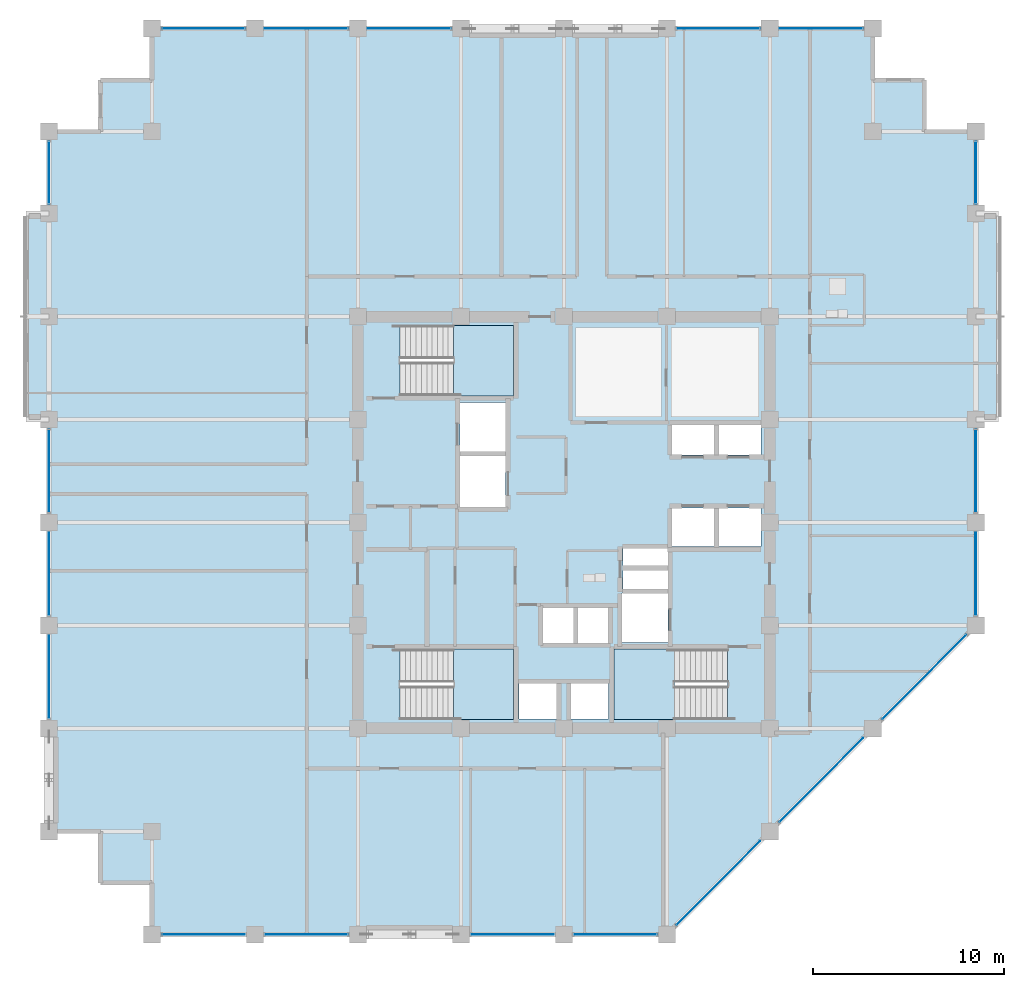
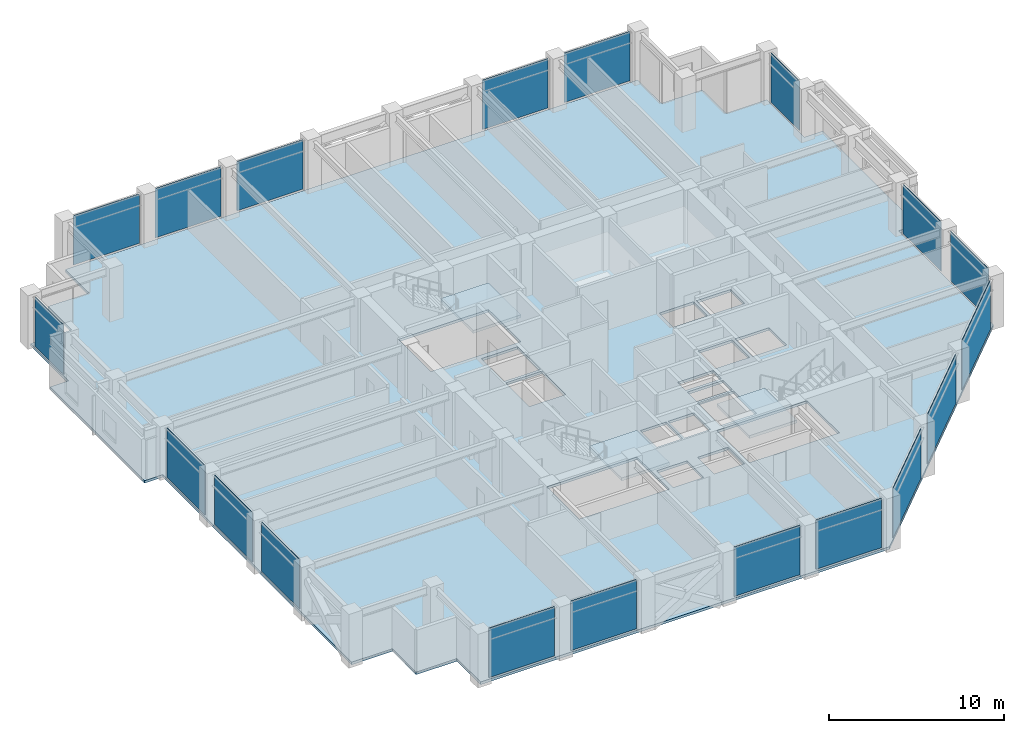
# One storey, part 25 of 32: 19 plates, 4 slabs, 12 elements without a shape of their own.
"""IFC4 building model written with IfcOpenShell, lengths in metres."""

from ifc_helpers import new_model, si_unit, direction, frame, frame_2d, origin, place, context, subcontext, project, spatial, polyline, rectangle, outline, extrude, material, layer, layer_set, type_object, element, aggregate, save


model = new_model("IFC4")

# Units and contexts
model_context = context("Model", 3, precision=1e-05, world=origin(), true_north=direction((0.0, 1.0)))
body_context = subcontext(model_context, "Body", "Model", "MODEL_VIEW")
ifc_project = project(units=[si_unit("LENGTHUNIT", "METRE"), si_unit("AREAUNIT", "SQUARE_METRE"), si_unit("VOLUMEUNIT", "CUBIC_METRE"), si_unit("PLANEANGLEUNIT", "RADIAN"), si_unit("MASSUNIT", "GRAM", prefix="KILO")], contexts=[model_context])

# Site, building, storey
site_placement = place(None, origin())
site = spatial("IfcSite", under=ifc_project, at=site_placement, CompositionType="ELEMENT")
building_placement = place(site_placement, origin())
building = spatial("IfcBuilding", under=site, at=building_placement, Name="Surkhivell Harbour Commons", CompositionType="ELEMENT")
storey_placement = place(building_placement, frame((0.0, 0.0, 186.0)))
storey = spatial("IfcBuildingStorey", under=building, at=storey_placement, Name="L48", CompositionType="ELEMENT", Elevation=186.0)

# Curtain wall, plates
ifc_material_1 = material(Name="Anodised pale-metal aluminium and insulated glazing", Category="aluminium")
ifc_layer_1 = layer(ifc_material_1, 0.18994140625)
ifc_layer_set_1 = layer_set([ifc_layer_1], Name="Anodised pale-metal aluminium and insulated glazing")
curtain_wall_type = type_object("IfcCurtainWallType", Name="CW-SYS-Z3", PredefinedType="NOTDEFINED", material=ifc_layer_set_1)
curtain_wall_1_placement = place(storey_placement, origin())
curtain_wall_1 = element("IfcCurtainWall", 1, at=curtain_wall_1_placement, inside=storey, type_object=curtain_wall_type, Name="L48 Curtain Wall CW-L48-E00S1", PredefinedType="NOTDEFINED")
ifc_material_2 = material(Name="High-pressure typhoon laminated vision glass", Category="glass")
ifc_layer_2 = layer(ifc_material_2, 0.035888671875)
ifc_layer_set_2 = layer_set([ifc_layer_2], Name="High-pressure typhoon laminated vision glass")
plate_type = type_object("IfcPlateType", Name="CWP-GLZ-36", PredefinedType="CURTAIN_PANEL", material=ifc_layer_set_2)
plate_1_placement = place(storey_placement, frame((-21.072998046875, -21.60009765625, 0.1298828125), z_axis=(0.0, 0.0, 1.0), x_axis=(1.0, 0.0, 0.0)))
plate_1 = element("IfcPlate", 2, at=plate_1_placement, type_object=plate_type, Name="CW-Z3 panel 1.1", PredefinedType="CURTAIN_PANEL", context=body_context, shape_type="SweptSolid", body=[
    extrude(rectangle(XDim=4.345947265625, YDim=0.035888671875, at=frame_2d((2.1728515625, 0.0))), origin(), (0.0, 0.0, 1.0), 3.440185546875),
])
plate_2_placement = place(storey_placement, frame((-15.673095703125, -21.60009765625, 0.1298828125), z_axis=(0.0, 0.0, 1.0), x_axis=(1.0, 0.0, 0.0)))
plate_2 = element("IfcPlate", 3, at=plate_2_placement, type_object=plate_type, Name="CW-Z3 panel 2.1", PredefinedType="CURTAIN_PANEL", context=body_context, shape_type="SweptSolid", body=[
    extrude(rectangle(XDim=4.34619140625, YDim=0.035888671875, at=frame_2d((2.173095703125, 0.0))), origin(), (0.0, 0.0, 1.0), 3.440185546875),
])
aggregate(curtain_wall_1, [plate_1, plate_2])

curtain_wall_2_placement = place(storey_placement, origin())
curtain_wall_2 = element("IfcCurtainWall", 4, at=curtain_wall_2_placement, inside=storey, type_object=curtain_wall_type, Name="L48 Curtain Wall CW-L48-E00S2", PredefinedType="NOTDEFINED")
plate_3_placement = place(storey_placement, frame((-4.873046875, -21.60009765625, 0.1298828125), z_axis=(0.0, 0.0, 1.0), x_axis=(1.0, 0.0, 0.0)))
plate_3 = element("IfcPlate", 5, at=plate_3_placement, type_object=plate_type, Name="CW-Z3 panel 1.1", PredefinedType="CURTAIN_PANEL", context=body_context, shape_type="SweptSolid", body=[
    extrude(rectangle(XDim=4.345947265625, YDim=0.035888671875, at=frame_2d((2.1728515625, 0.0))), origin(), (0.0, 0.0, 1.0), 3.440185546875),
])
plate_4_placement = place(storey_placement, frame((0.527099609375, -21.60009765625, 0.1298828125), z_axis=(0.0, 0.0, 1.0), x_axis=(1.0, 0.0, 0.0)))
plate_4 = element("IfcPlate", 6, at=plate_4_placement, type_object=plate_type, Name="CW-Z3 panel 2.1", PredefinedType="CURTAIN_PANEL", context=body_context, shape_type="SweptSolid", body=[
    extrude(rectangle(XDim=4.345947265625, YDim=0.035888671875, at=frame_2d((2.1728515625, 0.0))), origin(), (0.0, 0.0, 1.0), 3.440185546875),
])
aggregate(curtain_wall_2, [plate_3, plate_4])

curtain_wall_3_placement = place(storey_placement, origin())
curtain_wall_3 = element("IfcCurtainWall", 7, at=curtain_wall_3_placement, inside=storey, type_object=curtain_wall_type, Name="L48 Curtain Wall CW-L48-E01", PredefinedType="NOTDEFINED")
plate_5_placement = place(storey_placement, frame((5.90478515625, -21.09521484375, 0.1298828125), z_axis=(0.0, 0.0, 1.0), x_axis=(0.707106781187, 0.707106781187, 0.0)))
plate_5 = element("IfcPlate", 8, at=plate_5_placement, type_object=plate_type, Name="CW-Z3 panel 1.1", PredefinedType="CURTAIN_PANEL", context=body_context, shape_type="SweptSolid", body=[
    extrude(rectangle(XDim=6.209228515625, YDim=0.035888671875, at=frame_2d((3.1044921875, 0.0))), origin(), (0.0, 0.0, 1.0), 3.440185546875),
])
plate_6_placement = place(storey_placement, frame((11.3046875, -15.6953125, 0.1298828125), z_axis=(0.0, 0.0, 1.0), x_axis=(0.707106781187, 0.707106781187, 0.0)))
plate_6 = element("IfcPlate", 9, at=plate_6_placement, type_object=plate_type, Name="CW-Z3 panel 2.1", PredefinedType="CURTAIN_PANEL", context=body_context, shape_type="SweptSolid", body=[
    extrude(rectangle(XDim=6.209228515625, YDim=0.035888671875, at=frame_2d((3.1044921875, 0.0))), origin(), (0.0, 0.0, 1.0), 3.440185546875),
])
plate_7_placement = place(storey_placement, frame((16.70458984375, -10.29541015625, 0.1298828125), z_axis=(0.0, 0.0, 1.0), x_axis=(0.707106781187, 0.707106781187, 0.0)))
plate_7 = element("IfcPlate", 10, at=plate_7_placement, type_object=plate_type, Name="CW-Z3 panel 3.1", PredefinedType="CURTAIN_PANEL", context=body_context, shape_type="SweptSolid", body=[
    extrude(rectangle(XDim=6.209228515625, YDim=0.035888671875, at=frame_2d((3.1044921875, 0.0))), origin(), (0.0, 0.0, 1.0), 3.440185546875),
])
aggregate(curtain_wall_3, [plate_5, plate_6, plate_7])

curtain_wall_4_placement = place(storey_placement, origin())
curtain_wall_4 = element("IfcCurtainWall", 11, at=curtain_wall_4_placement, inside=storey, type_object=curtain_wall_type, Name="L48 Curtain Wall CW-L48-E02R1", PredefinedType="NOTDEFINED")
plate_8_placement = place(storey_placement, frame((21.60009765625, -4.873046875, 0.1298828125), z_axis=(0.0, 0.0, 1.0), x_axis=(0.0, 1.0, 0.0)))
plate_8 = element("IfcPlate", 12, at=plate_8_placement, type_object=plate_type, Name="CW-Z3 panel 1.1", PredefinedType="CURTAIN_PANEL", context=body_context, shape_type="SweptSolid", body=[
    extrude(rectangle(XDim=4.345947265625, YDim=0.035888671875, at=frame_2d((2.1728515625, 0.0))), origin(), (0.0, 0.0, 1.0), 3.440185546875),
])
plate_9_placement = place(storey_placement, frame((21.60009765625, 0.527099609375, 0.1298828125), z_axis=(0.0, 0.0, 1.0), x_axis=(0.0, 1.0, 0.0)))
plate_9 = element("IfcPlate", 13, at=plate_9_placement, type_object=plate_type, Name="CW-Z3 panel 2.1", PredefinedType="CURTAIN_PANEL", context=body_context, shape_type="SweptSolid", body=[
    extrude(rectangle(XDim=4.345947265625, YDim=0.035888671875, at=frame_2d((2.1728515625, 0.0))), origin(), (0.0, 0.0, 1.0), 3.440185546875),
])
aggregate(curtain_wall_4, [plate_8, plate_9])

# Curtain wall, plate
curtain_wall_5_placement = place(storey_placement, origin())
curtain_wall_5 = element("IfcCurtainWall", 14, at=curtain_wall_5_placement, inside=storey, type_object=curtain_wall_type, Name="L48 Curtain Wall CW-L48-E02R2", PredefinedType="NOTDEFINED")
plate_10_placement = place(storey_placement, frame((21.60009765625, 16.72705078125, 0.1298828125), z_axis=(0.0, 0.0, 1.0), x_axis=(0.0, 1.0, 0.0)))
plate_10 = element("IfcPlate", 15, at=plate_10_placement, type_object=plate_type, Name="CW-Z3 panel 1.1", PredefinedType="CURTAIN_PANEL", context=body_context, shape_type="SweptSolid", body=[
    extrude(rectangle(XDim=3.245849609375, YDim=0.035888671875, at=frame_2d((1.623046875, 0.0))), origin(), (0.0, 0.0, 1.0), 3.440185546875),
])
aggregate(curtain_wall_5, [plate_10])

# Curtain wall, plates
curtain_wall_6_placement = place(storey_placement, origin())
curtain_wall_6 = element("IfcCurtainWall", 16, at=curtain_wall_6_placement, inside=storey, type_object=curtain_wall_type, Name="L48 Curtain Wall CW-L48-E07S1", PredefinedType="NOTDEFINED")
plate_11_placement = place(storey_placement, frame((15.673095703125, 25.89990234375, 0.1298828125), z_axis=(0.0, 0.0, 1.0), x_axis=(-1.0, 0.0, 0.0)))
plate_11 = element("IfcPlate", 17, at=plate_11_placement, type_object=plate_type, Name="CW-Z3 panel 1.1", PredefinedType="CURTAIN_PANEL", context=body_context, shape_type="SweptSolid", body=[
    extrude(rectangle(XDim=4.34619140625, YDim=0.035888671875, at=frame_2d((2.173095703125, 0.0))), origin(), (0.0, 0.0, 1.0), 3.440185546875),
])
plate_12_placement = place(storey_placement, frame((10.27294921875, 25.89990234375, 0.1298828125), z_axis=(0.0, 0.0, 1.0), x_axis=(-1.0, 0.0, 0.0)))
plate_12 = element("IfcPlate", 18, at=plate_12_placement, type_object=plate_type, Name="CW-Z3 panel 2.1", PredefinedType="CURTAIN_PANEL", context=body_context, shape_type="SweptSolid", body=[
    extrude(rectangle(XDim=4.345947265625, YDim=0.035888671875, at=frame_2d((2.1728515625, 0.0))), origin(), (0.0, 0.0, 1.0), 3.440185546875),
])
aggregate(curtain_wall_6, [plate_11, plate_12])

curtain_wall_7_placement = place(storey_placement, origin())
curtain_wall_7 = element("IfcCurtainWall", 19, at=curtain_wall_7_placement, inside=storey, type_object=curtain_wall_type, Name="L48 Curtain Wall CW-L48-E07S2", PredefinedType="NOTDEFINED")
plate_13_placement = place(storey_placement, frame((-5.927001953125, 25.89990234375, 0.1298828125), z_axis=(0.0, 0.0, 1.0), x_axis=(-1.0, 0.0, 0.0)))
plate_13 = element("IfcPlate", 20, at=plate_13_placement, type_object=plate_type, Name="CW-Z3 panel 1.1", PredefinedType="CURTAIN_PANEL", context=body_context, shape_type="SweptSolid", body=[
    extrude(rectangle(XDim=4.345947265625, YDim=0.035888671875, at=frame_2d((2.1728515625, 0.0))), origin(), (0.0, 0.0, 1.0), 3.440185546875),
])
plate_14_placement = place(storey_placement, frame((-11.326904296875, 25.89990234375, 0.1298828125), z_axis=(0.0, 0.0, 1.0), x_axis=(-1.0, 0.0, 0.0)))
plate_14 = element("IfcPlate", 21, at=plate_14_placement, type_object=plate_type, Name="CW-Z3 panel 2.1", PredefinedType="CURTAIN_PANEL", context=body_context, shape_type="SweptSolid", body=[
    extrude(rectangle(XDim=4.34619140625, YDim=0.035888671875, at=frame_2d((2.173095703125, 0.0))), origin(), (0.0, 0.0, 1.0), 3.440185546875),
])
plate_15_placement = place(storey_placement, frame((-16.72705078125, 25.89990234375, 0.1298828125), z_axis=(0.0, 0.0, 1.0), x_axis=(-1.0, 0.0, 0.0)))
plate_15 = element("IfcPlate", 22, at=plate_15_placement, type_object=plate_type, Name="CW-Z3 panel 3.1", PredefinedType="CURTAIN_PANEL", context=body_context, shape_type="SweptSolid", body=[
    extrude(rectangle(XDim=4.345947265625, YDim=0.035888671875, at=frame_2d((2.1728515625, 0.0))), origin(), (0.0, 0.0, 1.0), 3.440185546875),
])
aggregate(curtain_wall_7, [plate_13, plate_14, plate_15])

curtain_wall_8_placement = place(storey_placement, origin())
curtain_wall_8 = element("IfcCurtainWall", 23, at=curtain_wall_8_placement, inside=storey, type_object=curtain_wall_type, Name="L48 Curtain Wall CW-L48-E12R1S1", PredefinedType="NOTDEFINED")
plate_16_placement = place(storey_placement, frame((-27.0, -10.27294921875, 0.1298828125), z_axis=(0.0, 0.0, 1.0), x_axis=(0.0, 1.0, 0.0)))
plate_16 = element("IfcPlate", 24, at=plate_16_placement, type_object=plate_type, Name="CW-Z3 panel 1.1", PredefinedType="CURTAIN_PANEL", context=body_context, shape_type="SweptSolid", body=[
    extrude(rectangle(XDim=4.345947265625, YDim=0.035888671875, at=frame_2d((2.1728515625, 0.0))), origin(), (0.0, 0.0, 1.0), 3.440185546875),
])
plate_17_placement = place(storey_placement, frame((-27.0, -4.873046875, 0.1298828125), z_axis=(0.0, 0.0, 1.0), x_axis=(0.0, 1.0, 0.0)))
plate_17 = element("IfcPlate", 25, at=plate_17_placement, type_object=plate_type, Name="CW-Z3 panel 2.1", PredefinedType="CURTAIN_PANEL", context=body_context, shape_type="SweptSolid", body=[
    extrude(rectangle(XDim=4.345947265625, YDim=0.035888671875, at=frame_2d((2.1728515625, 0.0))), origin(), (0.0, 0.0, 1.0), 3.440185546875),
])
plate_18_placement = place(storey_placement, frame((-27.0, 0.527099609375, 0.1298828125), z_axis=(0.0, 0.0, 1.0), x_axis=(0.0, 1.0, 0.0)))
plate_18 = element("IfcPlate", 26, at=plate_18_placement, type_object=plate_type, Name="CW-Z3 panel 3.1", PredefinedType="CURTAIN_PANEL", context=body_context, shape_type="SweptSolid", body=[
    extrude(rectangle(XDim=4.345947265625, YDim=0.035888671875, at=frame_2d((2.1728515625, 0.0))), origin(), (0.0, 0.0, 1.0), 3.440185546875),
])
aggregate(curtain_wall_8, [plate_16, plate_17, plate_18])

# Curtain wall, plate
curtain_wall_9_placement = place(storey_placement, origin())
curtain_wall_9 = element("IfcCurtainWall", 27, at=curtain_wall_9_placement, inside=storey, type_object=curtain_wall_type, Name="L48 Curtain Wall CW-L48-E12R2", PredefinedType="NOTDEFINED")
plate_19_placement = place(storey_placement, frame((-27.0, 16.72705078125, 0.1298828125), z_axis=(0.0, 0.0, 1.0), x_axis=(0.0, 1.0, 0.0)))
plate_19 = element("IfcPlate", 28, at=plate_19_placement, type_object=plate_type, Name="CW-Z3 panel 1.1", PredefinedType="CURTAIN_PANEL", context=body_context, shape_type="SweptSolid", body=[
    extrude(rectangle(XDim=3.245849609375, YDim=0.035888671875, at=frame_2d((1.623046875, 0.0))), origin(), (0.0, 0.0, 1.0), 3.440185546875),
])
aggregate(curtain_wall_9, [plate_19])

# Stair, slab
ifc_material_3 = material(Name="Precast concrete C45/55", Category="concrete")
stair_type = type_object("IfcStairType", Name="STR-DL-375", PredefinedType="HALF_TURN_STAIR", material=ifc_material_3)
stair_1_placement = place(storey_placement, origin())
stair_1 = element("IfcStair", 29, at=stair_1_placement, inside=storey, type_object=stair_type, Name="L48 Core Exit Stair ST1", PredefinedType="HALF_TURN_STAIR")
ifc_material_4 = material(Name="Reinforced concrete C45/55", Category="concrete")
ifc_layer_3 = layer(ifc_material_4, 0.199951171875)
ifc_layer_set_3 = layer_set([ifc_layer_3], Name="Reinforced concrete C45/55")
slab_type_1 = type_object("IfcSlabType", Name="SLB-ST-LND200", PredefinedType="LANDING", material=ifc_layer_set_3)
slab_1_placement = place(storey_placement, frame((0.0, 0.0, 1.675048828125)))
slab_1 = element("IfcSlab", 30, at=slab_1_placement, type_object=slab_type_1, Name="ST1 landing 1", PredefinedType="LANDING", context=body_context, shape_type="SweptSolid", body=[
    extrude(outline(polyline([(-5.7900390625, 6.639892578125), (-2.639892578125, 6.639892578125), (-2.639892578125, 10.340087890625), (-5.7900390625, 10.340087890625), (-5.7900390625, 6.639892578125)])), origin(), (0.0, 0.0, 1.0), 0.199951171875),
])
aggregate(stair_1, [slab_1])

stair_2_placement = place(storey_placement, origin())
stair_2 = element("IfcStair", 31, at=stair_2_placement, inside=storey, type_object=stair_type, Name="L48 Core Exit Stair ST2", PredefinedType="HALF_TURN_STAIR")
slab_2_placement = place(storey_placement, frame((0.0, 0.0, 1.675048828125)))
slab_2 = element("IfcSlab", 32, at=slab_2_placement, type_object=slab_type_1, Name="ST2 landing 1", PredefinedType="LANDING", context=body_context, shape_type="SweptSolid", body=[
    extrude(outline(polyline([(5.7900390625, -6.639892578125), (2.639892578125, -6.639892578125), (2.639892578125, -10.340087890625), (5.7900390625, -10.340087890625), (5.7900390625, -6.639892578125)])), origin(), (0.0, 0.0, 1.0), 0.199951171875),
])
aggregate(stair_2, [slab_2])

stair_3_placement = place(storey_placement, origin())
stair_3 = element("IfcStair", 33, at=stair_3_placement, inside=storey, type_object=stair_type, Name="L48 Core Exit Stair ST3", PredefinedType="HALF_TURN_STAIR")
slab_3_placement = place(storey_placement, frame((0.0, 0.0, 1.675048828125)))
slab_3 = element("IfcSlab", 34, at=slab_3_placement, type_object=slab_type_1, Name="ST3 landing 1", PredefinedType="LANDING", context=body_context, shape_type="SweptSolid", body=[
    extrude(outline(polyline([(-5.7900390625, -10.340087890625), (-2.639892578125, -10.340087890625), (-2.639892578125, -6.639892578125), (-5.7900390625, -6.639892578125), (-5.7900390625, -10.340087890625)])), origin(), (0.0, 0.0, 1.0), 0.199951171875),
])
aggregate(stair_3, [slab_3])

# Slab
ifc_material_5 = material(Name="Concrete C45/55", Category="concrete")
ifc_layer_4 = layer(ifc_material_5, 0.179931640625)
ifc_layer_set_4 = layer_set([ifc_layer_4], Name="Concrete C45/55")
slab_type_2 = type_object("IfcSlabType", Name="SLB-TYP-180", PredefinedType="FLOOR", material=ifc_layer_set_4)
slab_4_placement = place(storey_placement, frame((0.0, 0.0, -0.179931640625)))
element("IfcSlab", 35, at=slab_4_placement, inside=storey, type_object=slab_type_2, Name="L48 Structural Floor Slab", PredefinedType="FLOOR", context=body_context, shape_type="SweptSolid", body=[
    extrude(outline(polyline([(-27.0, 20.5), (-27.0, 16.199951171875), (-28.199951171875, 16.199951171875), (-28.199951171875, 5.39990234375), (-27.0, 5.39990234375), (-27.0, -16.199951171875), (-24.300048828125, -16.199951171875), (-24.300048828125, -18.89990234375), (-21.60009765625, -18.89990234375), (-21.60009765625, -21.60009765625), (5.39990234375, -21.60009765625), (21.60009765625, -5.39990234375), (21.60009765625, 5.39990234375), (22.800048828125, 5.39990234375), (22.800048828125, 16.199951171875), (21.60009765625, 16.199951171875), (21.60009765625, 20.5), (18.89990234375, 20.5), (18.89990234375, 23.199951171875), (16.199951171875, 23.199951171875), (16.199951171875, 25.89990234375), (-21.60009765625, 25.89990234375), (-21.60009765625, 23.199951171875), (-24.300048828125, 23.199951171875), (-24.300048828125, 20.5), (-27.0, 20.5)]), holes=[polyline([(-8.590087890625, 6.639892578125), (-2.639892578125, 6.639892578125), (-2.639892578125, 10.340087890625), (-8.590087890625, 10.340087890625), (-8.590087890625, 6.639892578125)]), polyline([(8.590087890625, -6.639892578125), (2.639892578125, -6.639892578125), (2.639892578125, -10.340087890625), (8.590087890625, -10.340087890625), (8.590087890625, -6.639892578125)]), polyline([(-8.590087890625, -10.340087890625), (-2.639892578125, -10.340087890625), (-2.639892578125, -6.639892578125), (-8.590087890625, -6.639892578125), (-8.590087890625, -10.340087890625)]), polyline([(5.64990234375, 3.550048828125), (7.89990234375, 3.550048828125), (7.89990234375, 5.14990234375), (5.64990234375, 5.14990234375), (5.64990234375, 3.550048828125)]), polyline([(8.10009765625, 3.550048828125), (10.35009765625, 3.550048828125), (10.35009765625, 5.14990234375), (8.10009765625, 5.14990234375), (8.10009765625, 3.550048828125)]), polyline([(5.64990234375, -1.25), (7.89990234375, -1.25), (7.89990234375, 0.75), (5.64990234375, 0.75), (5.64990234375, -1.25)]), polyline([(8.10009765625, -1.25), (10.35009765625, -1.25), (10.35009765625, 0.75), (8.10009765625, 0.75), (8.10009765625, -1.25)]), polyline([(-1.14990234375, -6.35009765625), (0.550048828125, -6.35009765625), (0.550048828125, -4.449951171875), (-1.14990234375, -4.449951171875), (-1.14990234375, -6.35009765625)]), polyline([(0.679931640625, -6.35009765625), (2.3798828125, -6.35009765625), (2.3798828125, -4.449951171875), (0.679931640625, -4.449951171875), (0.679931640625, -6.35009765625)]), polyline([(-2.35009765625, -10.300048828125), (-0.35009765625, -10.300048828125), (-0.35009765625, -8.39990234375), (-2.35009765625, -8.39990234375), (-2.35009765625, -10.300048828125)]), polyline([(0.35009765625, -10.300048828125), (2.35009765625, -10.300048828125), (2.35009765625, -8.39990234375), (0.35009765625, -8.39990234375), (0.35009765625, -10.300048828125)]), polyline([(-5.449951171875, 3.699951171875), (-3.050048828125, 3.699951171875), (-3.050048828125, 6.300048828125), (-5.449951171875, 6.300048828125), (-5.449951171875, 3.699951171875)]), polyline([(3.050048828125, -6.300048828125), (5.449951171875, -6.300048828125), (5.449951171875, -3.699951171875), (3.050048828125, -3.699951171875), (3.050048828125, -6.300048828125)]), polyline([(-5.449951171875, 0.800048828125), (-3.050048828125, 0.800048828125), (-3.050048828125, 3.5), (-5.449951171875, 3.5), (-5.449951171875, 0.800048828125)]), polyline([(3.10009765625, -3.550048828125), (5.449951171875, -3.550048828125), (5.449951171875, -2.47998046875), (3.10009765625, -2.47998046875), (3.10009765625, -3.550048828125)]), polyline([(3.10009765625, -2.280029296875), (5.449951171875, -2.280029296875), (5.449951171875, -1.35009765625), (3.10009765625, -1.35009765625), (3.10009765625, -2.280029296875)])]), origin(), (0.0, 0.0, 1.0), 0.179931640625),
])

save(model, "model.ifc")
